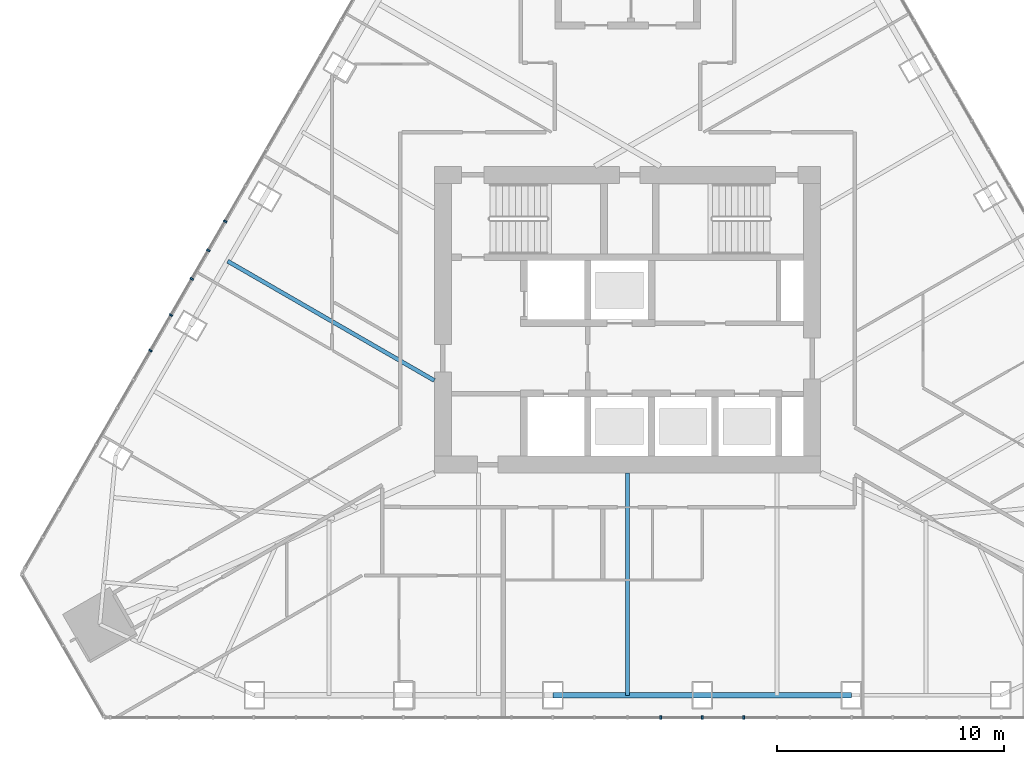
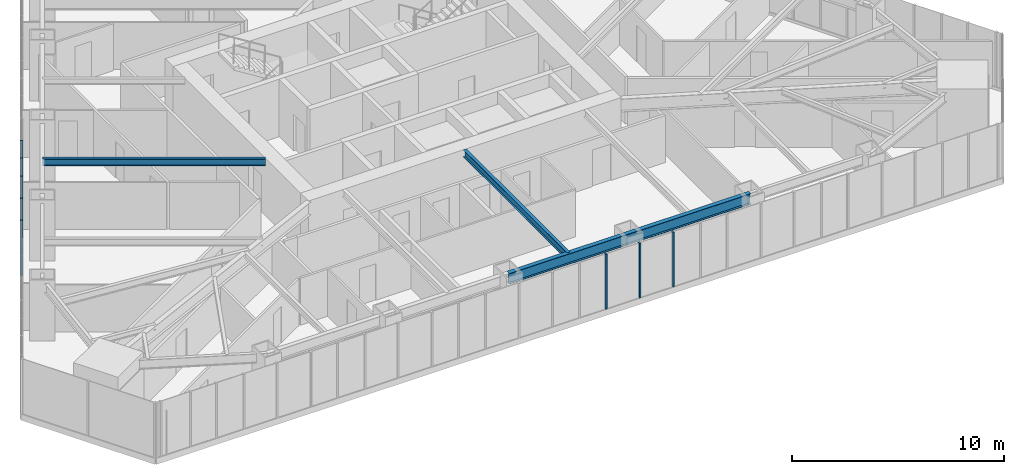
# One storey, part 4 of 21: 8 members, 3 beams, 2 elements without a shape of their own.
"""IFC4 building model written with IfcOpenShell, lengths in metres."""

from ifc_helpers import new_model, si_unit, direction, frame, origin, origin_2d, place, context, subcontext, project, spatial, rectangle, i_section, extrude, material, layer, layer_set, material_profile, profile_set, type_object, element, aggregate, save


model = new_model("IFC4")

# Units and contexts
model_context = context("Model", 3, precision=1e-05, world=origin(), true_north=direction((0.0, 1.0)))
body_context = subcontext(model_context, "Body", "Model", "MODEL_VIEW")
ifc_project = project(units=[si_unit("LENGTHUNIT", "METRE"), si_unit("AREAUNIT", "SQUARE_METRE"), si_unit("VOLUMEUNIT", "CUBIC_METRE"), si_unit("PLANEANGLEUNIT", "RADIAN"), si_unit("MASSUNIT", "GRAM", prefix="KILO")], contexts=[model_context])

# Site, building, storey
site_placement = place(None, origin())
site = spatial("IfcSite", under=ifc_project, at=site_placement, CompositionType="ELEMENT")
building_placement = place(site_placement, origin())
building = spatial("IfcBuilding", under=site, at=building_placement, Name="Firuza Gate Tower and Library", CompositionType="ELEMENT")
storey_placement = place(building_placement, frame((0.0, 0.0, 274.10009765625)))
storey = spatial("IfcBuildingStorey", under=building, at=storey_placement, Name="L65", CompositionType="ELEMENT", Elevation=274.10009765625)

# Curtain wall, members
ifc_material_1 = material(Name="Aluminium 6063-T6", Category="aluminium")
ifc_layer = layer(ifc_material_1, 0.14990234375)
ifc_layer_set = layer_set([ifc_layer], Name="Unitised curtain wall, residences")
curtain_wall_type = type_object("IfcCurtainWallType", Name="Unitised curtain wall, residences", PredefinedType="NOTDEFINED", material=ifc_layer_set)
placement = place(storey_placement, origin())
curtain_wall_1 = element("IfcCurtainWall", 1, at=placement, inside=storey, type_object=curtain_wall_type, Name="CW3 L65 S face", PredefinedType="NOTDEFINED")
ifc_material_2 = material(Name="Aluminium 6063-T6", Category="aluminium")
ifc_material_profile_1 = material_profile(ifc_material_2, rectangle(XDim=0.14990234375, YDim=0.080078125, at=origin_2d()))
ifc_profile_set_1 = profile_set([ifc_material_profile_1], Name="Aluminium 6063-T6")
member_type = type_object("IfcMemberType", Name="Curtain wall mullion 80x150", PredefinedType="MULLION", material=ifc_profile_set_1)
member_1_placement = place(storey_placement, frame((78.288818359375, 57.501220703125, 0.14990234375), z_axis=(0.0, 0.0, 1.0), x_axis=(0.0, 1.0, 0.0)))
member_1 = element("IfcMember", 2, at=member_1_placement, type_object=member_type, Name="Mullion", PredefinedType="MULLION", context=body_context, shape_type="SweptSolid", body=[
    extrude(rectangle(XDim=0.14990234375, YDim=0.080078125, at=origin_2d()), origin(), (0.0, 0.0, 1.0), 3.14990234375),
])
member_2_placement = place(storey_placement, frame((76.458251953125, 57.501220703125, 0.14990234375), z_axis=(0.0, 0.0, 1.0), x_axis=(0.0, 1.0, 0.0)))
member_2 = element("IfcMember", 3, at=member_2_placement, type_object=member_type, Name="Mullion", PredefinedType="MULLION", context=body_context, shape_type="SweptSolid", body=[
    extrude(rectangle(XDim=0.14990234375, YDim=0.080078125, at=origin_2d()), origin(), (0.0, 0.0, 1.0), 3.14990234375),
])
member_3_placement = place(storey_placement, frame((80.107177734375, 57.501220703125, 0.14990234375), z_axis=(0.0, 0.0, 1.0), x_axis=(0.0, 1.0, 0.0)))
member_3 = element("IfcMember", 4, at=member_3_placement, type_object=member_type, Name="Mullion", PredefinedType="MULLION", context=body_context, shape_type="SweptSolid", body=[
    extrude(rectangle(XDim=0.14990234375, YDim=0.080078125, at=origin_2d()), origin(), (0.0, 0.0, 1.0), 3.14990234375),
])
aggregate(curtain_wall_1, [member_1, member_2, member_3])

curtain_wall_2 = element("IfcCurtainWall", 5, at=placement, inside=storey, type_object=curtain_wall_type, Name="CW3 L65 W face", PredefinedType="NOTDEFINED")
member_4_placement = place(storey_placement, frame((56.556884765625, 78.052978515625, 0.14990234375), z_axis=(0.0, 0.0, 1.0), x_axis=(0.866025403784, -0.5, 0.0)))
member_4 = element("IfcMember", 6, at=member_4_placement, type_object=member_type, Name="Mullion", PredefinedType="MULLION", context=body_context, shape_type="SweptSolid", body=[
    extrude(rectangle(XDim=0.14990234375, YDim=0.080078125, at=origin_2d()), origin(), (0.0, 0.0, 1.0), 3.14990234375),
])
member_5_placement = place(storey_placement, frame((54.912353515625, 75.20458984375, 0.14990234375), z_axis=(0.0, 0.0, 1.0), x_axis=(0.866025403784, -0.5, 0.0)))
member_5 = element("IfcMember", 7, at=member_5_placement, type_object=member_type, Name="Mullion", PredefinedType="MULLION", context=body_context, shape_type="SweptSolid", body=[
    extrude(rectangle(XDim=0.14990234375, YDim=0.080078125, at=origin_2d()), origin(), (0.0, 0.0, 1.0), 3.14990234375),
])
member_6_placement = place(storey_placement, frame((57.292236328125, 79.326416015625, 0.14990234375), z_axis=(0.0, 0.0, 1.0), x_axis=(0.866025403784, -0.5, 0.0)))
member_6 = element("IfcMember", 8, at=member_6_placement, type_object=member_type, Name="Mullion", PredefinedType="MULLION", context=body_context, shape_type="SweptSolid", body=[
    extrude(rectangle(XDim=0.14990234375, YDim=0.080078125, at=origin_2d()), origin(), (0.0, 0.0, 1.0), 3.14990234375),
])
member_7_placement = place(storey_placement, frame((55.833984375, 76.80078125, 0.14990234375), z_axis=(0.0, 0.0, 1.0), x_axis=(0.866025403784, -0.5, 0.0)))
member_7 = element("IfcMember", 9, at=member_7_placement, type_object=member_type, Name="Mullion", PredefinedType="MULLION", context=body_context, shape_type="SweptSolid", body=[
    extrude(rectangle(XDim=0.14990234375, YDim=0.080078125, at=origin_2d()), origin(), (0.0, 0.0, 1.0), 3.14990234375),
])
member_8_placement = place(storey_placement, frame((54.009521484375, 73.640625, 0.14990234375), z_axis=(0.0, 0.0, 1.0), x_axis=(0.866025403784, -0.5, 0.0)))
member_8 = element("IfcMember", 10, at=member_8_placement, type_object=member_type, Name="Mullion", PredefinedType="MULLION", context=body_context, shape_type="SweptSolid", body=[
    extrude(rectangle(XDim=0.14990234375, YDim=0.080078125, at=origin_2d()), origin(), (0.0, 0.0, 1.0), 3.14990234375),
])
aggregate(curtain_wall_2, [member_4, member_5, member_6, member_7, member_8])

# Beams
ifc_material_3 = material(Name="Steel S355", Category="steel")
ifc_material_profile_2 = material_profile(ifc_material_3, i_section(OverallWidth=0.177978515625, OverallDepth=0.406982421875, WebThickness=0.0078125, FlangeThickness=0.0126953125, at=origin_2d()))
ifc_profile_set_2 = profile_set([ifc_material_profile_2], Name="Steel S355")
beam_type_1 = type_object("IfcBeamType", Name="W410x60 Floor beam", PredefinedType="JOIST", material=ifc_profile_set_2)
beam_1_placement = place(storey_placement, frame((75.0, 58.476318359375, 3.096435546875), z_axis=(0.0, 1.0, 0.0), x_axis=(-1.0, 0.0, 0.0)))
element("IfcBeam", 11, at=beam_1_placement, inside=storey, type_object=beam_type_1, Name="Floor beam L65 s22", PredefinedType="JOIST", context=body_context, shape_type="SweptSolid", body=[
    extrude(i_section(OverallWidth=0.177978515625, OverallDepth=0.406982421875, WebThickness=0.0078125, FlangeThickness=0.0126953125, at=origin_2d()), origin(), (0.0, 0.0, 1.0), 9.773681640625),
])
beam_2_placement = place(storey_placement, frame((57.407470703125, 77.576171875, 3.096435546875), z_axis=(0.866017913171, -0.500012973899, 0.0), x_axis=(0.500012973899, 0.866017913171, 0.0)))
element("IfcBeam", 12, at=beam_2_placement, inside=storey, type_object=beam_type_1, Name="Floor beam L65 s83", PredefinedType="JOIST", context=body_context, shape_type="SweptSolid", body=[
    extrude(i_section(OverallWidth=0.177978515625, OverallDepth=0.406982421875, WebThickness=0.0078125, FlangeThickness=0.0126953125, at=origin_2d()), origin(), (0.0, 0.0, 1.0), 10.499267578125),
])
ifc_material_4 = material(Name="Steel S355", Category="steel")
ifc_material_profile_3 = material_profile(ifc_material_4, i_section(OverallWidth=0.22900390625, OverallDepth=0.612060546875, WebThickness=0.011962890625, FlangeThickness=0.01953125, at=origin_2d()))
ifc_profile_set_3 = profile_set([ifc_material_profile_3], Name="Steel S355")
beam_type_2 = type_object("IfcBeamType", Name="W610x125 Edge beam", PredefinedType="SPANDREL", material=ifc_profile_set_3)
beam_3_placement = place(storey_placement, frame((71.71728515625, 58.476318359375, 2.993896484375), z_axis=(1.0, 0.0, 0.0), x_axis=(0.0, 1.0, 0.0)))
element("IfcBeam", 13, at=beam_3_placement, inside=storey, type_object=beam_type_2, Name="Edge beam L65 e22", PredefinedType="SPANDREL", context=body_context, shape_type="SweptSolid", body=[
    extrude(i_section(OverallWidth=0.22900390625, OverallDepth=0.612060546875, WebThickness=0.011962890625, FlangeThickness=0.01953125, at=origin_2d()), origin(), (0.0, 0.0, 1.0), 13.130615234375),
])

save(model, "model.ifc")
